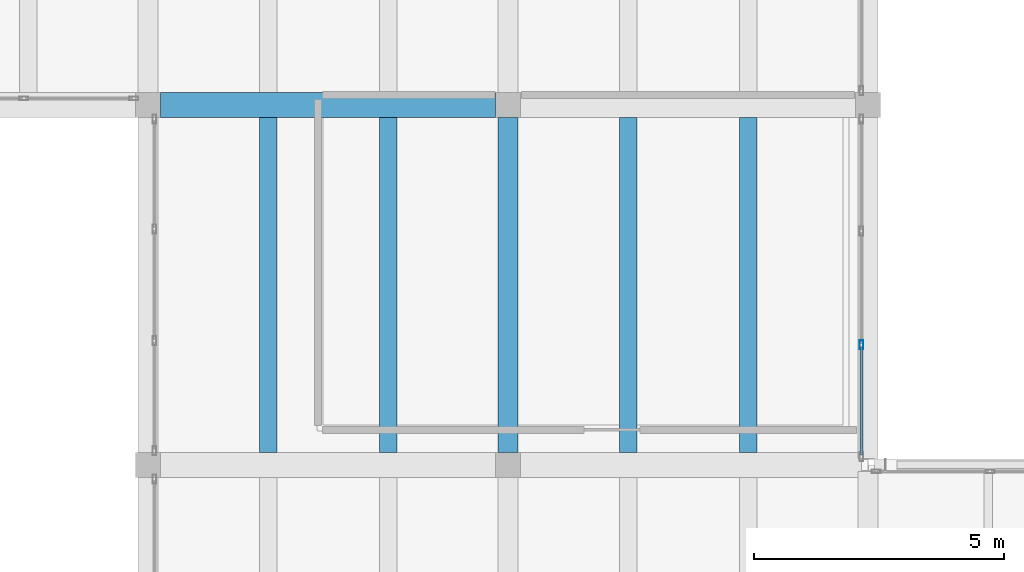
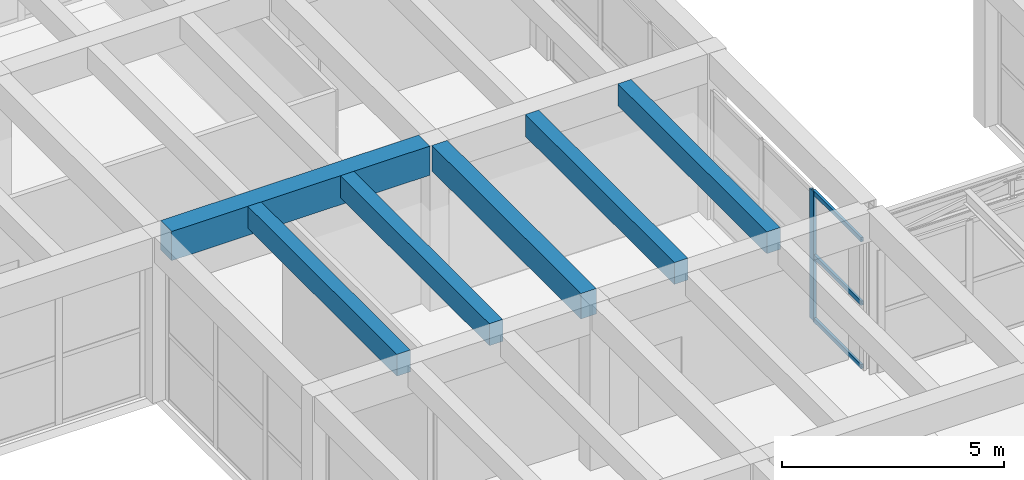
# One storey, part 45 of 153: 6 beams, 4 members, 1 element without a shape of its own.
"""IFC4 building model written with IfcOpenShell, lengths in metres."""

from ifc_helpers import new_model, si_unit, direction, frame, origin, origin_2d, place, context, subcontext, project, spatial, rectangle, hollow_rectangle, extrude, material, material_profile, profile_set, type_object, element, aggregate, save


model = new_model("IFC4")

# Units and contexts
model_context = context("Model", 3, precision=1e-05, world=origin(), true_north=direction((0.0, 1.0)))
body_context = subcontext(model_context, "Body", "Model", "MODEL_VIEW")
ifc_project = project(units=[si_unit("LENGTHUNIT", "METRE"), si_unit("AREAUNIT", "SQUARE_METRE"), si_unit("VOLUMEUNIT", "CUBIC_METRE"), si_unit("PLANEANGLEUNIT", "RADIAN"), si_unit("MASSUNIT", "GRAM", prefix="KILO")], contexts=[model_context])

# Site, building, storey
site_placement = place(None, origin())
site = spatial("IfcSite", under=ifc_project, at=site_placement, CompositionType="ELEMENT")
building_placement = place(site_placement, origin())
building = spatial("IfcBuilding", under=site, at=building_placement, Name="Bramvelor Terrace Health Centre", CompositionType="ELEMENT")
storey_placement = place(building_placement, frame((0.0, 0.0, 4.800048828125)))
storey = spatial("IfcBuildingStorey", under=building, at=storey_placement, Name="L02", CompositionType="ELEMENT", Elevation=4.800048828125)

# Beams
ifc_material_1 = material(Name="Concrete C40/50", Category="concrete")
ifc_material_profile_1 = material_profile(ifc_material_1, rectangle(XDim=0.39990234375, YDim=0.699951171875, at=origin_2d()), Name="RC 400x700")
ifc_profile_set_1 = profile_set([ifc_material_profile_1], Name="Concrete C40/50")
beam_type_1 = type_object("IfcBeamType", Name="BM-RC-G700", PredefinedType="BEAM", material=ifc_profile_set_1)
beam_1_placement = place(storey_placement, frame((86.39990234375, 57.85009765625, 4.199951171875), z_axis=(0.0, 1.0, 0.0), x_axis=(-1.0, 0.0, 0.0)))
element("IfcBeam", 1, at=beam_1_placement, inside=storey, type_object=beam_type_1, Name="L02 Floor Girder", PredefinedType="BEAM", context=body_context, shape_type="SweptSolid", body=[
    extrude(rectangle(XDim=0.39990234375, YDim=0.699951171875, at=origin_2d()), origin(), (0.0, 0.0, 1.0), 6.699951171875),
])
ifc_material_2 = material(Name="Concrete C40/50", Category="concrete")
ifc_material_profile_2 = material_profile(ifc_material_2, rectangle(XDim=0.5, YDim=0.800048828125, at=origin_2d()), Name="RC 500x800")
ifc_profile_set_2 = profile_set([ifc_material_profile_2], Name="Concrete C40/50")
beam_type_2 = type_object("IfcBeamType", Name="BM-RC-G800", PredefinedType="BEAM", material=ifc_profile_set_2)
beam_2_placement = place(storey_placement, frame((79.449951171875, 64.800048828125, 4.14990234375), z_axis=(1.0, 0.0, 0.0), x_axis=(0.0, 1.0, 0.0)))
element("IfcBeam", 2, at=beam_2_placement, inside=storey, type_object=beam_type_2, Name="L02 Floor Girder", PredefinedType="BEAM", context=body_context, shape_type="SweptSolid", body=[
    extrude(rectangle(XDim=0.5, YDim=0.800048828125, at=origin_2d()), origin(), (0.0, 0.0, 1.0), 6.699951171875),
])
ifc_material_3 = material(Name="Concrete C40/50", Category="concrete")
ifc_material_profile_3 = material_profile(ifc_material_3, rectangle(XDim=0.35009765625, YDim=0.60009765625, at=origin_2d()), Name="RC 350x600")
ifc_profile_set_3 = profile_set([ifc_material_profile_3], Name="Concrete C40/50")
beam_type_3 = type_object("IfcBeamType", Name="BM-RC-J600", PredefinedType="JOIST", material=ifc_profile_set_3)
for number, where, z_axis, x_axis, name in (
    (3, (81.60009765625, 57.85009765625, 4.25), (0.0, 1.0, 0.0), (-1.0, 0.0, 0.0), "L02 Secondary Floor Joist"),
    (4, (84.0, 57.85009765625, 4.25), (0.0, 1.0, 0.0), (-1.0, 0.0, 0.0), "L02 Secondary Floor Joist"),
    (5, (88.800048828125, 57.85009765625, 4.25), (0.0, 1.0, 0.0), (-1.0, 0.0, 0.0), "L02 Secondary Floor Joist"),
    (6, (91.199951171875, 57.85009765625, 4.25), (0.0, 1.0, 0.0), (-1.0, 0.0, 0.0), "L02 Secondary Floor Joist"),
):
    element("IfcBeam", number, at=place(storey_placement, frame(where, z_axis=z_axis, x_axis=x_axis)), inside=storey, type_object=beam_type_3, Name=name, PredefinedType="JOIST", context=body_context, shape_type="SweptSolid", body=[
        extrude(rectangle(XDim=0.35009765625, YDim=0.60009765625, at=origin_2d()), origin(), (0.0, 0.0, 1.0), 6.699951171875),
    ])

# Curtain wall, members
ifc_material_4 = material(Name="Anodized aluminium and double low-E glass", Category="aluminium")
curtain_wall_type = type_object("IfcCurtainWallType", Name="CW-SYS-01", PredefinedType="NOTDEFINED", material=ifc_material_4)
curtain_wall_placement = place(storey_placement, origin())
curtain_wall = element("IfcCurtainWall", 7, at=curtain_wall_placement, inside=storey, type_object=curtain_wall_type, Name="L02 Unitized Curtain Wall 98", PredefinedType="NOTDEFINED")
ifc_material_5 = material(Name="Anodized aluminium 6063-T6", Category="aluminium")
ifc_material_profile_4 = material_profile(ifc_material_5, hollow_rectangle(XDim=0.074951171875, YDim=0.179931640625, WallThickness=0.00341796875, at=origin_2d()), Name="ALU-MUL 75x180x3.5")
ifc_profile_set_4 = profile_set([ifc_material_profile_4], Name="Anodized aluminium 6063-T6")
member_type_1 = type_object("IfcMemberType", Name="CW-MUL-65x180", PredefinedType="MULLION", material=ifc_profile_set_4)
member_1_placement = place(storey_placement, frame((93.469970703125, 60.001708984375, 0.0), z_axis=(0.0, 0.0, 1.0), x_axis=(1.0, 0.0, 0.0)))
member_1 = element("IfcMember", 8, at=member_1_placement, type_object=member_type_1, Name="CW-01 mullion 3", PredefinedType="MULLION", context=body_context, shape_type="SweptSolid", body=[
    extrude(hollow_rectangle(XDim=0.074951171875, YDim=0.179931640625, WallThickness=0.00341796875, at=origin_2d()), origin(), (0.0, 0.0, 1.0), 3.5478515625),
])
ifc_material_6 = material(Name="Anodized aluminium 6063-T6", Category="aluminium")
ifc_material_profile_5 = material_profile(ifc_material_6, hollow_rectangle(XDim=0.06494140625, YDim=0.1201171875, WallThickness=0.0029296875, at=origin_2d()), Name="ALU-TRN 65x120x3.0")
ifc_profile_set_5 = profile_set([ifc_material_profile_5], Name="Anodized aluminium 6063-T6")
member_type_2 = type_object("IfcMemberType", Name="CW-TRN-65x150", PredefinedType="USERDEFINED", material=ifc_profile_set_5)
member_2_placement = place(storey_placement, frame((93.469970703125, 59.964111328125, 0.032470703125), z_axis=(0.0, -1.0, 0.0), x_axis=(1.0, 0.0, 0.0)))
member_2 = element("IfcMember", 9, at=member_2_placement, type_object=member_type_2, Name="CW-01 transom 3.1", ObjectType="TRANSOM", PredefinedType="USERDEFINED", context=body_context, shape_type="SweptSolid", body=[
    extrude(hollow_rectangle(XDim=0.06494140625, YDim=0.1201171875, WallThickness=0.0029296875, at=origin_2d()), origin(), (0.0, 0.0, 1.0), 2.1640625),
])
member_3_placement = place(storey_placement, frame((93.469970703125, 59.964111328125, 1.77392578125), z_axis=(0.0, -1.0, 0.0), x_axis=(1.0, 0.0, 0.0)))
member_3 = element("IfcMember", 10, at=member_3_placement, type_object=member_type_2, Name="CW-01 transom 3.2", ObjectType="TRANSOM", PredefinedType="USERDEFINED", context=body_context, shape_type="SweptSolid", body=[
    extrude(hollow_rectangle(XDim=0.06494140625, YDim=0.1201171875, WallThickness=0.0029296875, at=origin_2d()), origin(), (0.0, 0.0, 1.0), 2.1640625),
])
member_4_placement = place(storey_placement, frame((93.469970703125, 59.964111328125, 3.515380859375), z_axis=(0.0, -1.0, 0.0), x_axis=(1.0, 0.0, 0.0)))
member_4 = element("IfcMember", 11, at=member_4_placement, type_object=member_type_2, Name="CW-01 transom 3.3", ObjectType="TRANSOM", PredefinedType="USERDEFINED", context=body_context, shape_type="SweptSolid", body=[
    extrude(hollow_rectangle(XDim=0.06494140625, YDim=0.1201171875, WallThickness=0.0029296875, at=origin_2d()), origin(), (0.0, 0.0, 1.0), 2.1640625),
])
aggregate(curtain_wall, [member_1, member_2, member_3, member_4])

save(model, "model.ifc")
